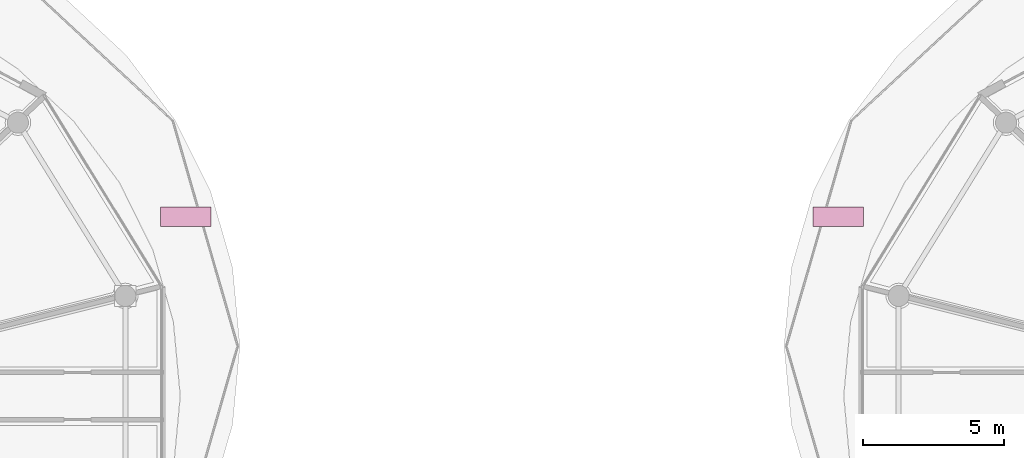
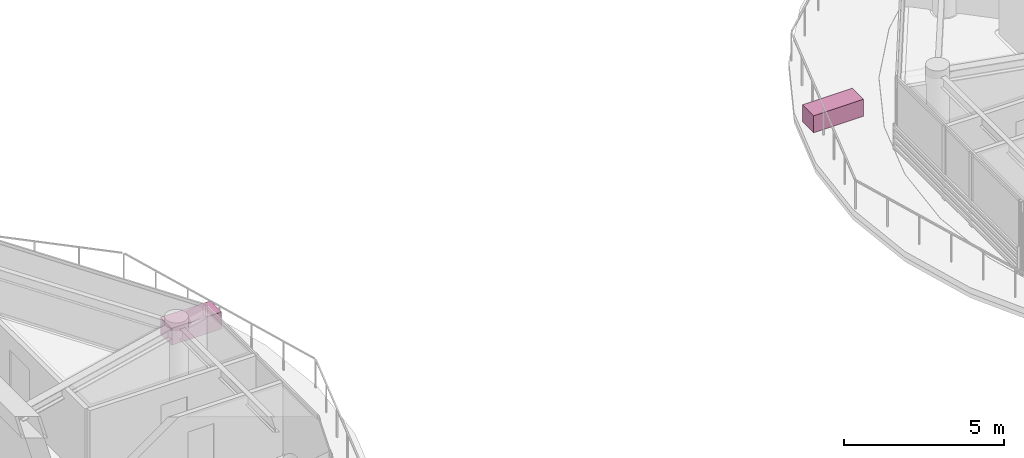
# One storey, part 28 of 28: 2 furnishings.
"""IFC4 building model written with IfcOpenShell, lengths in metres."""

from ifc_helpers import new_model, si_unit, direction, frame, origin, origin_2d, place, context, subcontext, project, spatial, rectangle, extrude, source, transform, mapped, material, type_object, type_shapes, element, save


model = new_model("IFC4")

# Units and contexts
model_context = context("Model", 3, precision=1e-05, world=origin(), true_north=direction((0.0, 1.0)))
body_context = subcontext(model_context, "Body", "Model", "MODEL_VIEW")
ifc_project = project(units=[si_unit("LENGTHUNIT", "METRE"), si_unit("AREAUNIT", "SQUARE_METRE"), si_unit("VOLUMEUNIT", "CUBIC_METRE"), si_unit("PLANEANGLEUNIT", "RADIAN"), si_unit("MASSUNIT", "GRAM", prefix="KILO")], contexts=[model_context])

# Site, building, storey
site_placement = place(None, origin())
site = spatial("IfcSite", under=ifc_project, at=site_placement, CompositionType="ELEMENT")
building_placement = place(site_placement, origin())
building = spatial("IfcBuilding", under=site, at=building_placement, Name="Norrkilde Senior Care Towers", CompositionType="ELEMENT")
storey_placement = place(building_placement, frame((0.0, 0.0, 190.64990234375)))
storey = spatial("IfcBuildingStorey", under=building, at=storey_placement, Name="L59", CompositionType="ELEMENT", Elevation=190.64990234375)

# Furnishings
ifc_material = material(Name="Architectural Terracotta", Category="masonry")
furnishing_element_type = type_object("IfcFurnishingElementType", Name="Nordic Terrace Planter Bed PLANTER", material=ifc_material)
shared_shape = source(origin(), body_context, "Body", "SweptSolid", [
    extrude(rectangle(XDim=1.800048828125, YDim=0.699951171875, at=origin_2d()), origin(), (0.0, 0.0, 1.0), 0.64990234375),
])
type_shapes(furnishing_element_type, [shared_shape])
for number, where, z_axis, x_axis, name in (
    (1, (11.597900390625, 6.374267578125, 0.000244140625), (0.0, 0.0, 1.0), (1.0, 0.0, 0.0), "L59 Nordic Planted Terrace Bed 21"),
    (2, (-11.597900390625, 6.374267578125, 0.000244140625), (0.0, 0.0, 1.0), (1.0, 0.0, 0.0), "L59 Nordic Planted Terrace Bed 22"),
):
    element("IfcFurnishingElement", number, at=place(storey_placement, frame(where, z_axis=z_axis, x_axis=x_axis)), inside=storey, type_object=furnishing_element_type, Name=name, context=body_context, shape_type="MappedRepresentation", body=[
        mapped(shared_shape, transform((0.0, 0.0, 0.0), x_axis=(1.0, 0.0, 0.0), y_axis=(0.0, 1.0, 0.0), z_axis=(0.0, 0.0, 1.0), scale=1.0)),
    ])

save(model, "model.ifc")
